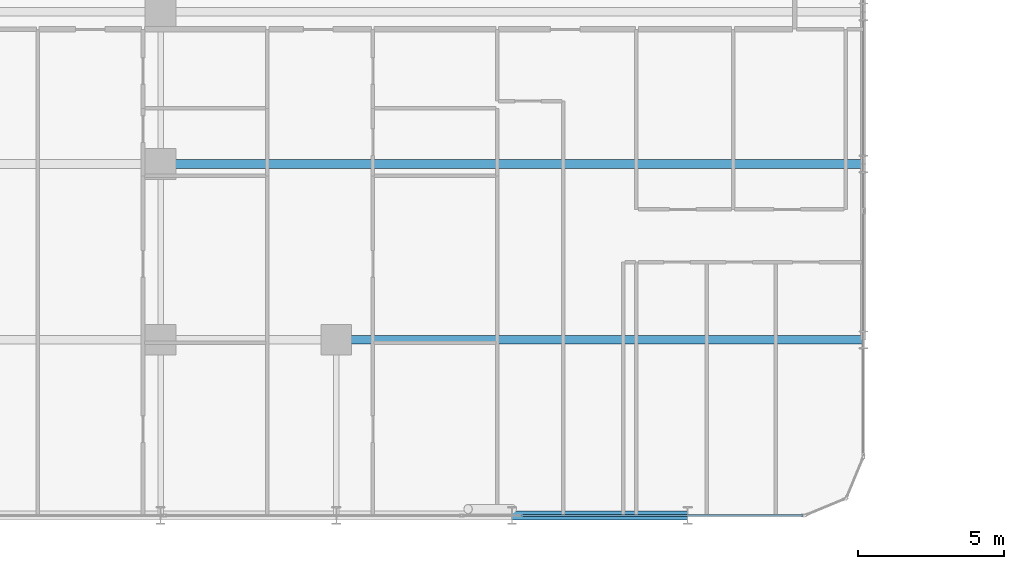
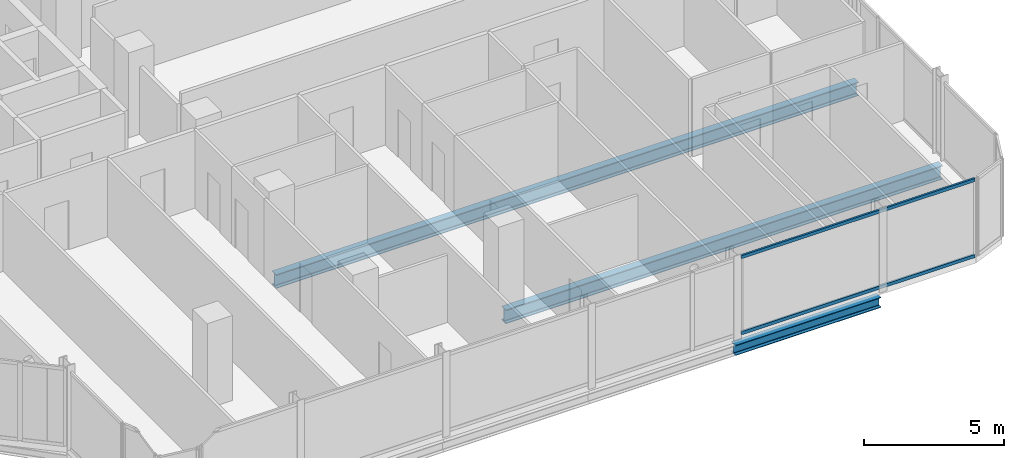
# One storey, part 9 of 30: 3 beams, 2 members, 1 element without a shape of its own.
"""IFC4 building model written with IfcOpenShell, lengths in metres."""

from ifc_helpers import new_model, si_unit, direction, frame, origin, origin_2d, place, context, subcontext, project, spatial, hollow_rectangle, i_section, extrude, material, layer, layer_set, material_profile, profile_set, type_object, element, aggregate, save


model = new_model("IFC4")

# Units and contexts
model_context = context("Model", 3, precision=1e-05, world=origin(), true_north=direction((0.0, 1.0)))
body_context = subcontext(model_context, "Body", "Model", "MODEL_VIEW")
ifc_project = project(units=[si_unit("LENGTHUNIT", "METRE"), si_unit("AREAUNIT", "SQUARE_METRE"), si_unit("VOLUMEUNIT", "CUBIC_METRE"), si_unit("PLANEANGLEUNIT", "RADIAN"), si_unit("MASSUNIT", "GRAM", prefix="KILO")], contexts=[model_context])

# Site, building, storey
site_placement = place(None, origin())
site = spatial("IfcSite", under=ifc_project, at=site_placement, CompositionType="ELEMENT")
building_placement = place(site_placement, origin())
building = spatial("IfcBuilding", under=site, at=building_placement, Name="Keshet Zoharim Tower", CompositionType="ELEMENT")
storey_placement = place(building_placement, frame((0.0, 0.0, 113.10009765625)))
storey = spatial("IfcBuildingStorey", under=building, at=storey_placement, Name="L27", CompositionType="ELEMENT", Elevation=113.10009765625)

# Beams
ifc_material_1 = material(Name="Steel S355", Category="steel")
ifc_material_profile_1 = material_profile(ifc_material_1, i_section(OverallWidth=0.300048828125, OverallDepth=0.60009765625, WebThickness=0.015380859375, FlangeThickness=0.030029296875, FilletRadius=0.027099609375, at=origin_2d()), Name="HEB600")
ifc_profile_set_1 = profile_set([ifc_material_profile_1], Name="Steel S355")
beam_type_1 = type_object("IfcBeamType", Name="BM-LNG-HB600", PredefinedType="BEAM", material=ifc_profile_set_1)
beam_1_placement = place(storey_placement, frame((39.0, 6.699951171875, -0.614990234375), z_axis=(1.0, 0.0, 0.0), x_axis=(0.0, 1.0, 0.0)))
element("IfcBeam", 1, at=beam_1_placement, inside=storey, type_object=beam_type_1, Name="L27 Primary Girder X-008", PredefinedType="BEAM", context=body_context, shape_type="SweptSolid", body=[
    extrude(i_section(OverallWidth=0.300048828125, OverallDepth=0.60009765625, WebThickness=0.015380859375, FlangeThickness=0.030029296875, FilletRadius=0.027099609375, at=origin_2d()), origin(), (0.0, 0.0, 1.0), 18.0),
])
beam_2_placement = place(storey_placement, frame((33.0, 12.699951171875, -0.614990234375), z_axis=(1.0, 0.0, 0.0), x_axis=(0.0, 1.0, 0.0)))
element("IfcBeam", 2, at=beam_2_placement, inside=storey, type_object=beam_type_1, Name="L27 Primary Girder X-010", PredefinedType="BEAM", context=body_context, shape_type="SweptSolid", body=[
    extrude(i_section(OverallWidth=0.300048828125, OverallDepth=0.60009765625, WebThickness=0.015380859375, FlangeThickness=0.030029296875, FilletRadius=0.027099609375, at=origin_2d()), origin(), (0.0, 0.0, 1.0), 24.0),
])
ifc_material_profile_2 = material_profile(ifc_material_1, i_section(OverallWidth=0.300048828125, OverallDepth=0.449951171875, WebThickness=0.013916015625, FlangeThickness=0.02587890625, FilletRadius=0.027099609375, at=origin_2d()), Name="HEB450")
ifc_profile_set_2 = profile_set([ifc_material_profile_2], Name="Steel S355")
beam_type_2 = type_object("IfcBeamType", Name="BM-WEB-HB450", PredefinedType="BEAM", material=ifc_profile_set_2)
beam_3_placement = place(storey_placement, frame((45.0, 0.699951171875, -0.5400390625), z_axis=(1.0, 0.0, 0.0), x_axis=(0.0, 1.0, 0.0)))
element("IfcBeam", 3, at=beam_3_placement, inside=storey, type_object=beam_type_2, Name="L27 Primary Girder X-004", PredefinedType="BEAM", context=body_context, shape_type="SweptSolid", body=[
    extrude(i_section(OverallWidth=0.300048828125, OverallDepth=0.449951171875, WebThickness=0.013916015625, FlangeThickness=0.02587890625, FilletRadius=0.027099609375, at=origin_2d()), origin(), (0.0, 0.0, 1.0), 6.0),
])

# Curtain wall, members
ifc_material_2 = material(Name="Aluminium 6063-T6", Category="aluminium")
ifc_layer = layer(ifc_material_2, 0.159912109375)
ifc_layer_set = layer_set([ifc_layer], Name="Aluminium 6063-T6")
curtain_wall_type = type_object("IfcCurtainWallType", Name="CW-SYS-03", PredefinedType="NOTDEFINED", material=ifc_layer_set)
curtain_wall_placement = place(storey_placement, origin())
curtain_wall = element("IfcCurtainWall", 4, at=curtain_wall_placement, inside=storey, type_object=curtain_wall_type, Name="L27 Unitised Curtain Wall 03", PredefinedType="NOTDEFINED")
ifc_material_profile_3 = material_profile(ifc_material_2, hollow_rectangle(XDim=0.080078125, YDim=0.139892578125, WallThickness=0.00390625, at=origin_2d()), Name="TRN-80x140")
ifc_profile_set_3 = profile_set([ifc_material_profile_3], Name="Aluminium 6063-T6")
member_type = type_object("IfcMemberType", Name="CWT-T14", PredefinedType="USERDEFINED", material=ifc_profile_set_3)
member_1_placement = place(storey_placement, frame((54.929931640625, 0.699951171875, 0.034912109375), z_axis=(-1.0, 0.0, 0.0), x_axis=(0.0, -1.0, 0.0)))
member_1 = element("IfcMember", 5, at=member_1_placement, type_object=member_type, Name="CW-03 transom 1.1", ObjectType="TRANSOM", PredefinedType="USERDEFINED", context=body_context, shape_type="SweptSolid", body=[
    extrude(hollow_rectangle(XDim=0.080078125, YDim=0.139892578125, WallThickness=0.00390625, at=origin_2d()), origin(), (0.0, 0.0, 1.0), 9.61181640625),
])
member_2_placement = place(storey_placement, frame((54.929931640625, 0.699951171875, 3.349853515625), z_axis=(-1.0, 0.0, 0.0), x_axis=(0.0, -1.0, 0.0)))
member_2 = element("IfcMember", 6, at=member_2_placement, type_object=member_type, Name="CW-03 transom 1.2", ObjectType="TRANSOM", PredefinedType="USERDEFINED", context=body_context, shape_type="SweptSolid", body=[
    extrude(hollow_rectangle(XDim=0.080078125, YDim=0.139892578125, WallThickness=0.00390625, at=origin_2d()), origin(), (0.0, 0.0, 1.0), 9.61181640625),
])
aggregate(curtain_wall, [member_1, member_2])

save(model, "model.ifc")
